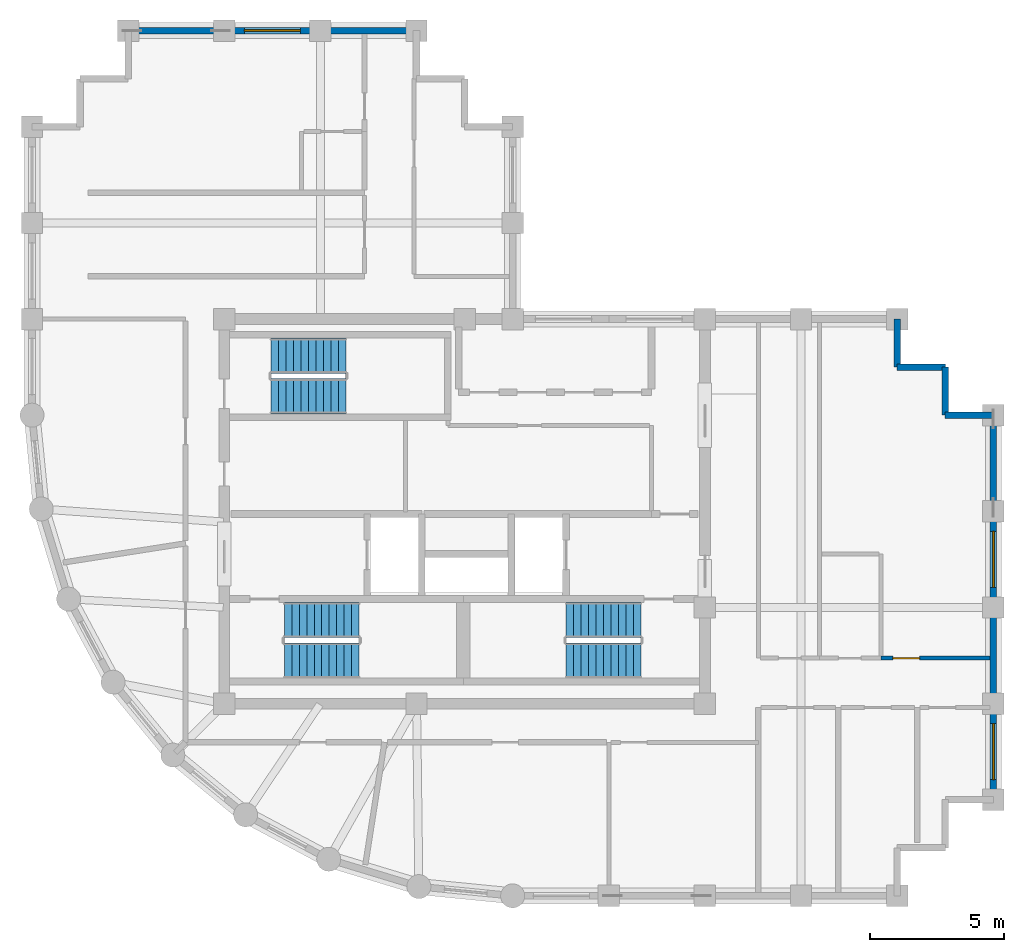
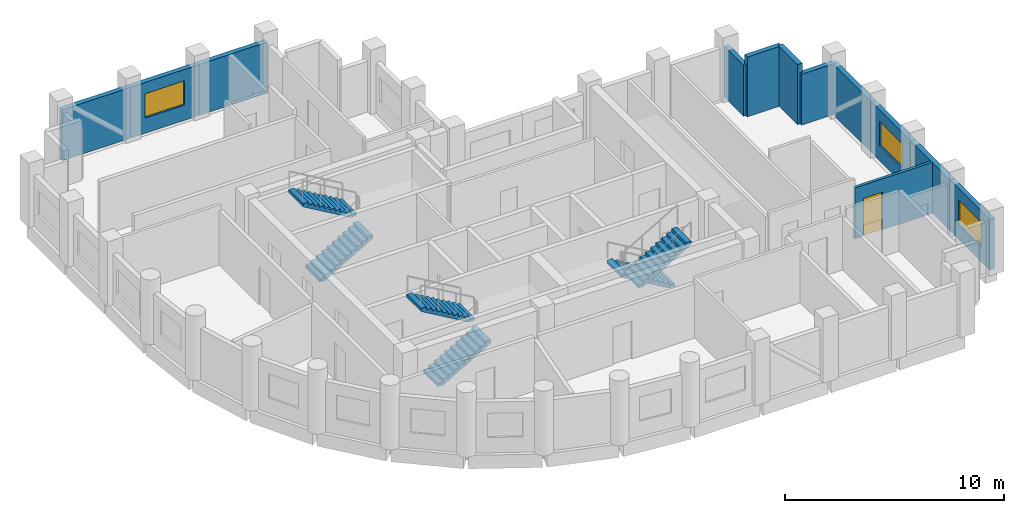
# One storey, part 5 of 6: 12 walls, 6 stair flights, 3 windows, 1 door, 4 openings, 3 elements without a shape of their own.
"""IFC4 building model written with IfcOpenShell, lengths in metres."""

from ifc_helpers import new_model, si_unit, direction, frame, frame_2d, origin, place, context, subcontext, project, spatial, polyline, rectangle, outline, extrude, material, layer, layer_set, type_object, element, fill, aggregate, save


model = new_model("IFC4")

# Units and contexts
model_context = context("Model", 3, precision=1e-05, world=origin(), true_north=direction((0.0, 1.0)))
body_context = subcontext(model_context, "Body", "Model", "MODEL_VIEW")
ifc_project = project(units=[si_unit("LENGTHUNIT", "METRE"), si_unit("AREAUNIT", "SQUARE_METRE"), si_unit("VOLUMEUNIT", "CUBIC_METRE"), si_unit("PLANEANGLEUNIT", "RADIAN"), si_unit("MASSUNIT", "GRAM", prefix="KILO")], contexts=[model_context])

# Site, building, storey
site_placement = place(None, origin())
site = spatial("IfcSite", under=ifc_project, at=site_placement, CompositionType="ELEMENT")
building_placement = place(site_placement, origin())
building = spatial("IfcBuilding", under=site, at=building_placement, Name="Solnavia Interchange Tower", CompositionType="ELEMENT")
storey_placement = place(building_placement, frame((0.0, 0.0, 231.800048828125)))
storey = spatial("IfcBuildingStorey", under=building, at=storey_placement, Name="L58", CompositionType="ELEMENT", Elevation=231.800048828125)

# Wall, opening, window
ifc_material_1 = material(Name="Concrete C40/50", Category="concrete")
ifc_layer_1 = layer(ifc_material_1, 0.25)
ifc_layer_set_1 = layer_set([ifc_layer_1], Name="Concrete C40/50")
wall_type_1 = type_object("IfcWallType", Name="Wall-ExtSpandrel-250", PredefinedType="STANDARD", material=ifc_layer_set_1)
wall_1_placement = place(storey_placement, frame((43.199951171875, 10.800048828125, 0.0), z_axis=(0.0, 0.0, 1.0), x_axis=(0.0, -1.0, 0.0)))
wall_1 = element("IfcWall", 1, at=wall_1_placement, inside=storey, type_object=wall_type_1, Name="EXW-L58-09 Exterior precast spandrel wall", PredefinedType="STANDARD", context=body_context, shape_type="SweptSolid", body=[
    extrude(rectangle(XDim=3.60009765625, YDim=0.25, at=frame_2d((1.800048828125, 0.0))), origin(), (0.0, 0.0, 1.0), 2.829833984375),
])
opening_1_placement = place(wall_1_placement, frame((0.75, 0.0, 0.85009765625)))
opening_1 = element("IfcOpeningElement", 2, at=opening_1_placement, cuts=wall_1, Name="Opening WIN-01", PredefinedType="OPENING", context=body_context, shape_type="SweptSolid", body=[
    extrude(rectangle(XDim=2.10009765625, YDim=1.35009765625, at=frame_2d((1.050048828125, 0.675048828125))), frame((0.0, 0.135009765625, 0.0), z_axis=(0.0, -1.0, 0.0), x_axis=(1.0, 0.0, 0.0)), (0.0, 0.0, 1.0), 0.27001953125),
])
ifc_material_2 = material(Name="Thermal-Break Aluminium & Low-E Glass", Category="aluminium")
window_type = type_object("IfcWindowType", Name="Window-Ribbon-2100x1350", PartitioningType="SINGLE_PANEL", PredefinedType="WINDOW", material=ifc_material_2)
window_1_placement = place(opening_1_placement, origin())
window_1 = element("IfcWindow", 3, at=window_1_placement, inside=storey, type_object=window_type, Name="WIN-L58-09 Facade ribbon window", OverallHeight=1.35009765625, OverallWidth=2.10009765625, PartitioningType="SINGLE_PANEL", PredefinedType="WINDOW", context=body_context, shape_type="SweptSolid", body=[
    extrude(rectangle(XDim=2.10009765625, YDim=1.35009765625, at=frame_2d((1.050048828125, 0.675048828125))), frame((0.0, 0.030029296875, 0.0), z_axis=(0.0, -1.0, 0.0), x_axis=(1.0, 0.0, 0.0)), (0.0, 0.0, 1.0), 0.06005859375),
])
fill(opening_1, window_1)

# Wall
wall_2_placement = place(storey_placement, frame((43.199951171875, 14.39990234375, 0.0), z_axis=(0.0, 0.0, 1.0), x_axis=(0.0, -1.0, 0.0)))
element("IfcWall", 4, at=wall_2_placement, inside=storey, type_object=wall_type_1, Name="EXW-L58-10 Exterior precast spandrel wall", PredefinedType="STANDARD", context=body_context, shape_type="SweptSolid", body=[
    extrude(rectangle(XDim=3.599853515625, YDim=0.25, at=frame_2d((1.7998046875, 0.0))), origin(), (0.0, 0.0, 1.0), 2.829833984375),
])

# Wall, opening, window
wall_3_placement = place(storey_placement, frame((43.199951171875, 18.0, 0.0), z_axis=(0.0, 0.0, 1.0), x_axis=(0.0, -1.0, 0.0)))
wall_3 = element("IfcWall", 5, at=wall_3_placement, inside=storey, type_object=wall_type_1, Name="EXW-L58-11 Exterior precast spandrel wall", PredefinedType="STANDARD", context=body_context, shape_type="SweptSolid", body=[
    extrude(rectangle(XDim=3.60009765625, YDim=0.25, at=frame_2d((1.800048828125, 0.0))), origin(), (0.0, 0.0, 1.0), 2.829833984375),
])
opening_2_placement = place(wall_3_placement, frame((0.75, 0.0, 0.85009765625)))
opening_2 = element("IfcOpeningElement", 6, at=opening_2_placement, cuts=wall_3, Name="Opening WIN-01", PredefinedType="OPENING", context=body_context, shape_type="SweptSolid", body=[
    extrude(rectangle(XDim=2.10009765625, YDim=1.35009765625, at=frame_2d((1.050048828125, 0.675048828125))), frame((0.0, 0.135009765625, 0.0), z_axis=(0.0, -1.0, 0.0), x_axis=(1.0, 0.0, 0.0)), (0.0, 0.0, 1.0), 0.27001953125),
])
window_2_placement = place(opening_2_placement, origin())
window_2 = element("IfcWindow", 7, at=window_2_placement, inside=storey, type_object=window_type, Name="WIN-L58-11 Facade ribbon window", OverallHeight=1.35009765625, OverallWidth=2.10009765625, PartitioningType="SINGLE_PANEL", PredefinedType="WINDOW", context=body_context, shape_type="SweptSolid", body=[
    extrude(rectangle(XDim=2.10009765625, YDim=1.35009765625, at=frame_2d((1.050048828125, 0.675048828125))), frame((0.0, 0.030029296875, 0.0), z_axis=(0.0, -1.0, 0.0), x_axis=(1.0, 0.0, 0.0)), (0.0, 0.0, 1.0), 0.06005859375),
])
fill(opening_2, window_2)

# Walls
wall_4_placement = place(storey_placement, frame((43.199951171875, 21.60009765625, 0.0), z_axis=(0.0, 0.0, 1.0), x_axis=(0.0, -1.0, 0.0)))
element("IfcWall", 8, at=wall_4_placement, inside=storey, type_object=wall_type_1, Name="EXW-L58-12 Exterior precast spandrel wall", PredefinedType="STANDARD", context=body_context, shape_type="SweptSolid", body=[
    extrude(rectangle(XDim=3.60009765625, YDim=0.25, at=frame_2d((1.800048828125, 0.0))), origin(), (0.0, 0.0, 1.0), 2.829833984375),
])
wall_5_placement = place(storey_placement, frame((41.39990234375, 21.60009765625, 0.0), z_axis=(0.0, 0.0, 1.0), x_axis=(1.0, 0.0, 0.0)))
element("IfcWall", 9, at=wall_5_placement, inside=storey, type_object=wall_type_1, Name="EXW-L58-13 Exterior precast spandrel wall", PredefinedType="STANDARD", context=body_context, shape_type="SweptSolid", body=[
    extrude(rectangle(XDim=1.800048828125, YDim=0.25, at=frame_2d((0.89990234375, 0.0))), origin(), (0.0, 0.0, 1.0), 2.829833984375),
])
for number, where, z_axis, x_axis, name in (
    (10, (41.39990234375, 23.39990234375, 0.0), (0.0, 0.0, 1.0), (0.0, -1.0, 0.0), "EXW-L58-14 Exterior precast spandrel wall"),
    (11, (39.60009765625, 23.39990234375, 0.0), (0.0, 0.0, 1.0), (1.0, 0.0, 0.0), "EXW-L58-15 Exterior precast spandrel wall"),
):
    element("IfcWall", number, at=place(storey_placement, frame(where, z_axis=z_axis, x_axis=x_axis)), inside=storey, type_object=wall_type_1, Name=name, PredefinedType="STANDARD", context=body_context, shape_type="SweptSolid", body=[
        extrude(rectangle(XDim=1.7998046875, YDim=0.25, at=frame_2d((0.89990234375, 0.0))), origin(), (0.0, 0.0, 1.0), 3.3349609375),
    ])
wall_6_placement = place(storey_placement, frame((39.60009765625, 25.199951171875, 0.0), z_axis=(0.0, 0.0, 1.0), x_axis=(0.0, -1.0, 0.0)))
element("IfcWall", 12, at=wall_6_placement, inside=storey, type_object=wall_type_1, Name="EXW-L58-16 Exterior precast spandrel wall", PredefinedType="STANDARD", context=body_context, shape_type="SweptSolid", body=[
    extrude(rectangle(XDim=1.800048828125, YDim=0.25, at=frame_2d((0.89990234375, 0.0))), origin(), (0.0, 0.0, 1.0), 2.829833984375),
])
wall_7_placement = place(storey_placement, frame((18.0, 36.0, 0.0), z_axis=(0.0, 0.0, 1.0), x_axis=(1.0, 0.0, 0.0)))
element("IfcWall", 13, at=wall_7_placement, inside=storey, type_object=wall_type_1, Name="EXW-L58-27 Exterior precast spandrel wall", PredefinedType="STANDARD", context=body_context, shape_type="SweptSolid", body=[
    extrude(rectangle(XDim=3.60009765625, YDim=0.25, at=frame_2d((1.800048828125, 0.0))), origin(), (0.0, 0.0, 1.0), 2.829833984375),
])

# Wall, opening, window
wall_8_placement = place(storey_placement, frame((14.39990234375, 36.0, 0.0), z_axis=(0.0, 0.0, 1.0), x_axis=(1.0, 0.0, 0.0)))
wall_8 = element("IfcWall", 14, at=wall_8_placement, inside=storey, type_object=wall_type_1, Name="EXW-L58-28 Exterior precast spandrel wall", PredefinedType="STANDARD", context=body_context, shape_type="SweptSolid", body=[
    extrude(rectangle(XDim=3.60009765625, YDim=0.25, at=frame_2d((1.800048828125, 0.0))), origin(), (0.0, 0.0, 1.0), 2.829833984375),
])
opening_3_placement = place(wall_8_placement, frame((0.75, 0.0, 0.85009765625)))
opening_3 = element("IfcOpeningElement", 15, at=opening_3_placement, cuts=wall_8, Name="Opening WIN-01", PredefinedType="OPENING", context=body_context, shape_type="SweptSolid", body=[
    extrude(rectangle(XDim=2.10009765625, YDim=1.35009765625, at=frame_2d((1.050048828125, 0.675048828125))), frame((0.0, 0.135009765625, 0.0), z_axis=(0.0, -1.0, 0.0), x_axis=(1.0, 0.0, 0.0)), (0.0, 0.0, 1.0), 0.27001953125),
])
window_3_placement = place(opening_3_placement, origin())
window_3 = element("IfcWindow", 16, at=window_3_placement, inside=storey, type_object=window_type, Name="WIN-L58-28 Facade ribbon window", OverallHeight=1.35009765625, OverallWidth=2.10009765625, PartitioningType="SINGLE_PANEL", PredefinedType="WINDOW", context=body_context, shape_type="SweptSolid", body=[
    extrude(rectangle(XDim=2.10009765625, YDim=1.35009765625, at=frame_2d((1.050048828125, 0.675048828125))), frame((0.0, 0.030029296875, 0.0), z_axis=(0.0, -1.0, 0.0), x_axis=(1.0, 0.0, 0.0)), (0.0, 0.0, 1.0), 0.06005859375),
])
fill(opening_3, window_3)

# Wall
wall_9_placement = place(storey_placement, frame((10.800048828125, 36.0, 0.0), z_axis=(0.0, 0.0, 1.0), x_axis=(1.0, 0.0, 0.0)))
element("IfcWall", 17, at=wall_9_placement, inside=storey, type_object=wall_type_1, Name="EXW-L58-29 Exterior precast spandrel wall", PredefinedType="STANDARD", context=body_context, shape_type="SweptSolid", body=[
    extrude(rectangle(XDim=3.599853515625, YDim=0.25, at=frame_2d((1.7998046875, 0.0))), origin(), (0.0, 0.0, 1.0), 2.829833984375),
])

# Wall, opening, door
ifc_material_3 = material(Name="Gypsum Plasterboard & Steel Stud", Category="steel")
ifc_layer_2 = layer(ifc_material_3, 0.14990234375)
ifc_layer_set_2 = layer_set([ifc_layer_2], Name="Gypsum Plasterboard & Steel Stud")
wall_type_2 = type_object("IfcWallType", Name="Wall-Partition-150", PredefinedType="PARTITIONING", material=ifc_layer_set_2)
wall_10_placement = place(storey_placement, frame((39.0, 12.5, 0.0), z_axis=(0.0, 0.0, 1.0), x_axis=(1.0, 0.0, 0.0)))
wall_10 = element("IfcWall", 18, at=wall_10_placement, inside=storey, type_object=wall_type_2, Name="PTW-L58-23 Interior partition wall", PredefinedType="PARTITIONING", context=body_context, shape_type="SweptSolid", body=[
    extrude(rectangle(XDim=4.071044921875, YDim=0.14990234375, at=frame_2d((2.03564453125, 0.0))), origin(), (0.0, 0.0, 1.0), 2.829833984375),
])
opening_4_placement = place(wall_10_placement, frame((0.43798828125, 0.0, 0.0)))
opening_4 = element("IfcOpeningElement", 19, at=opening_4_placement, cuts=wall_10, Name="Opening DR-07", PredefinedType="OPENING", context=body_context, shape_type="SweptSolid", body=[
    extrude(rectangle(XDim=1.0, YDim=2.10009765625, at=frame_2d((0.5, 1.050048828125))), frame((0.0, 0.0849609375, 0.0), z_axis=(0.0, -1.0, 0.0), x_axis=(1.0, 0.0, 0.0)), (0.0, 0.0, 1.0), 0.169921875),
])
ifc_material_4 = material(Name="Timber & Acoustic Glazed Office Door", Category="wood")
door_type = type_object("IfcDoorType", Name="Door-Office-1000x2100", OperationType="SINGLE_SWING_RIGHT", PredefinedType="DOOR", material=ifc_material_4)
door_placement = place(opening_4_placement, origin())
door = element("IfcDoor", 20, at=door_placement, inside=storey, type_object=door_type, Name="DR-L58-11 Interior room door", OperationType="SINGLE_SWING_RIGHT", OverallHeight=2.10009765625, OverallWidth=1.0, PredefinedType="DOOR", context=body_context, shape_type="SweptSolid", body=[
    extrude(rectangle(XDim=1.0, YDim=2.10009765625, at=frame_2d((0.5, 1.050048828125))), frame((0.0, 0.02490234375, 0.0), z_axis=(0.0, -1.0, 0.0), x_axis=(1.0, 0.0, 0.0)), (0.0, 0.0, 1.0), 0.050048828125),
])
fill(opening_4, door)

# Stair, stair flights
stair_type = type_object("IfcStairType", Name="Stair-Dogleg-RC", PredefinedType="HALF_TURN_STAIR", material=ifc_material_1)
stair_1_placement = place(storey_placement, origin())
stair_1 = element("IfcStair", 21, at=stair_1_placement, inside=storey, type_object=stair_type, Name="L58 Core exit stair 1", PredefinedType="HALF_TURN_STAIR")
stair_flight_type = type_object("IfcStairFlightType", Name="StairFlight-RC-150", PredefinedType="STRAIGHT", material=ifc_material_1)
stair_flight_1_placement = place(storey_placement, frame((16.64990234375, 12.409912109375, 0.0), z_axis=(0.0, 0.0, 1.0), x_axis=(1.0, 0.0, 0.0)))
stair_flight_1 = element("IfcStairFlight", 22, at=stair_flight_1_placement, type_object=stair_flight_type, Name="ST-1 flight 1", NumberOfRisers=11, NumberOfTreads=10, PredefinedType="STRAIGHT", RiserHeight=0.163636364, TreadLength=0.28, context=body_context, shape_type="SweptSolid", body=[
    extrude(outline(polyline([(0.0, 0.0), (0.0, 0.16357421875), (0.280029296875, 0.16357421875), (0.280029296875, 0.327392578125), (0.56005859375, 0.327392578125), (0.56005859375, 0.490966796875), (0.840087890625, 0.490966796875), (0.840087890625, 0.654541015625), (1.1201171875, 0.654541015625), (1.1201171875, 0.818115234375), (1.39990234375, 0.818115234375), (1.39990234375, 0.98193359375), (1.679931640625, 0.98193359375), (1.679931640625, 1.1455078125), (1.9599609375, 1.1455078125), (1.9599609375, 1.30908203125), (2.239990234375, 1.30908203125), (2.239990234375, 1.47265625), (2.52001953125, 1.47265625), (2.52001953125, 1.636474609375), (2.800048828125, 1.636474609375), (2.800048828125, 1.800048828125), (2.800048828125, 1.462646484375), (0.297119140625, 0.0), (0.0, 0.0)])), frame((0.0, 0.66015625, 0.0), z_axis=(0.0, -1.0, 0.0), x_axis=(1.0, 0.0, 0.0)), (0.0, 0.0, 1.0), 1.320068359375),
])
stair_flight_2_placement = place(storey_placement, frame((19.449951171875, 13.929931640625, 1.800048828125), z_axis=(0.0, 0.0, 1.0), x_axis=(-1.0, 0.0, 0.0)))
stair_flight_2 = element("IfcStairFlight", 23, at=stair_flight_2_placement, type_object=stair_flight_type, Name="ST-1 flight 2", NumberOfRisers=11, NumberOfTreads=10, PredefinedType="STRAIGHT", RiserHeight=0.163636364, TreadLength=0.28, context=body_context, shape_type="SweptSolid", body=[
    extrude(outline(polyline([(0.0, 0.0), (0.0, 0.16357421875), (0.280029296875, 0.16357421875), (0.280029296875, 0.327392578125), (0.56005859375, 0.327392578125), (0.56005859375, 0.490966796875), (0.840087890625, 0.490966796875), (0.840087890625, 0.654541015625), (1.1201171875, 0.654541015625), (1.1201171875, 0.818115234375), (1.39990234375, 0.818115234375), (1.39990234375, 0.98193359375), (1.679931640625, 0.98193359375), (1.679931640625, 1.1455078125), (1.9599609375, 1.1455078125), (1.9599609375, 1.30908203125), (2.239990234375, 1.30908203125), (2.239990234375, 1.47265625), (2.52001953125, 1.47265625), (2.52001953125, 1.636474609375), (2.800048828125, 1.636474609375), (2.800048828125, 1.800048828125), (2.800048828125, 1.462646484375), (0.297119140625, 0.0), (0.0, 0.0)])), frame((0.0, 0.66015625, 0.0), z_axis=(0.0, -1.0, 0.0), x_axis=(1.0, 0.0, 0.0)), (0.0, 0.0, 1.0), 1.320068359375),
])
aggregate(stair_1, [stair_flight_1, stair_flight_2])

stair_2_placement = place(storey_placement, origin())
stair_2 = element("IfcStair", 24, at=stair_2_placement, inside=storey, type_object=stair_type, Name="L58 Core exit stair 2", PredefinedType="HALF_TURN_STAIR")
stair_flight_3_placement = place(storey_placement, frame((30.0, 13.929931640625, 0.0), z_axis=(0.0, 0.0, 1.0), x_axis=(-1.0, 0.0, 0.0)))
stair_flight_3 = element("IfcStairFlight", 25, at=stair_flight_3_placement, type_object=stair_flight_type, Name="ST-2 flight 1", NumberOfRisers=11, NumberOfTreads=10, PredefinedType="STRAIGHT", RiserHeight=0.163636364, TreadLength=0.28, context=body_context, shape_type="SweptSolid", body=[
    extrude(outline(polyline([(0.0, 0.0), (0.0, 0.16357421875), (0.280029296875, 0.16357421875), (0.280029296875, 0.327392578125), (0.56005859375, 0.327392578125), (0.56005859375, 0.490966796875), (0.840087890625, 0.490966796875), (0.840087890625, 0.654541015625), (1.1201171875, 0.654541015625), (1.1201171875, 0.818115234375), (1.39990234375, 0.818115234375), (1.39990234375, 0.98193359375), (1.679931640625, 0.98193359375), (1.679931640625, 1.1455078125), (1.9599609375, 1.1455078125), (1.9599609375, 1.30908203125), (2.239990234375, 1.30908203125), (2.239990234375, 1.47265625), (2.52001953125, 1.47265625), (2.52001953125, 1.636474609375), (2.800048828125, 1.636474609375), (2.800048828125, 1.800048828125), (2.800048828125, 1.462646484375), (0.297119140625, 0.0), (0.0, 0.0)])), frame((0.0, 0.66015625, 0.0), z_axis=(0.0, -1.0, 0.0), x_axis=(1.0, 0.0, 0.0)), (0.0, 0.0, 1.0), 1.320068359375),
])
stair_flight_4_placement = place(storey_placement, frame((27.199951171875, 12.409912109375, 1.800048828125), z_axis=(0.0, 0.0, 1.0), x_axis=(1.0, 0.0, 0.0)))
stair_flight_4 = element("IfcStairFlight", 26, at=stair_flight_4_placement, type_object=stair_flight_type, Name="ST-2 flight 2", NumberOfRisers=11, NumberOfTreads=10, PredefinedType="STRAIGHT", RiserHeight=0.163636364, TreadLength=0.28, context=body_context, shape_type="SweptSolid", body=[
    extrude(outline(polyline([(0.0, 0.0), (0.0, 0.16357421875), (0.280029296875, 0.16357421875), (0.280029296875, 0.327392578125), (0.56005859375, 0.327392578125), (0.56005859375, 0.490966796875), (0.840087890625, 0.490966796875), (0.840087890625, 0.654541015625), (1.1201171875, 0.654541015625), (1.1201171875, 0.818115234375), (1.39990234375, 0.818115234375), (1.39990234375, 0.98193359375), (1.679931640625, 0.98193359375), (1.679931640625, 1.1455078125), (1.9599609375, 1.1455078125), (1.9599609375, 1.30908203125), (2.239990234375, 1.30908203125), (2.239990234375, 1.47265625), (2.52001953125, 1.47265625), (2.52001953125, 1.636474609375), (2.800048828125, 1.636474609375), (2.800048828125, 1.800048828125), (2.800048828125, 1.462646484375), (0.297119140625, 0.0), (0.0, 0.0)])), frame((0.0, 0.66015625, 0.0), z_axis=(0.0, -1.0, 0.0), x_axis=(1.0, 0.0, 0.0)), (0.0, 0.0, 1.0), 1.320068359375),
])
aggregate(stair_2, [stair_flight_3, stair_flight_4])

stair_3_placement = place(storey_placement, origin())
stair_3 = element("IfcStair", 27, at=stair_3_placement, inside=storey, type_object=stair_type, Name="L58 Core exit stair 3", PredefinedType="HALF_TURN_STAIR")
stair_flight_5_placement = place(storey_placement, frame((16.14990234375, 22.31005859375, 0.0), z_axis=(0.0, 0.0, 1.0), x_axis=(1.0, 0.0, 0.0)))
stair_flight_5 = element("IfcStairFlight", 28, at=stair_flight_5_placement, type_object=stair_flight_type, Name="ST-3 flight 1", NumberOfRisers=11, NumberOfTreads=10, PredefinedType="STRAIGHT", RiserHeight=0.163636364, TreadLength=0.28, context=body_context, shape_type="SweptSolid", body=[
    extrude(outline(polyline([(0.0, 0.0), (0.0, 0.16357421875), (0.280029296875, 0.16357421875), (0.280029296875, 0.327392578125), (0.56005859375, 0.327392578125), (0.56005859375, 0.490966796875), (0.840087890625, 0.490966796875), (0.840087890625, 0.654541015625), (1.1201171875, 0.654541015625), (1.1201171875, 0.818115234375), (1.39990234375, 0.818115234375), (1.39990234375, 0.98193359375), (1.679931640625, 0.98193359375), (1.679931640625, 1.1455078125), (1.9599609375, 1.1455078125), (1.9599609375, 1.30908203125), (2.239990234375, 1.30908203125), (2.239990234375, 1.47265625), (2.52001953125, 1.47265625), (2.52001953125, 1.636474609375), (2.800048828125, 1.636474609375), (2.800048828125, 1.800048828125), (2.800048828125, 1.462646484375), (0.297119140625, 0.0), (0.0, 0.0)])), frame((0.0, 0.66015625, 0.0), z_axis=(0.0, -1.0, 0.0), x_axis=(1.0, 0.0, 0.0)), (0.0, 0.0, 1.0), 1.320068359375),
])
stair_flight_6_placement = place(storey_placement, frame((18.949951171875, 23.830078125, 1.800048828125), z_axis=(0.0, 0.0, 1.0), x_axis=(-1.0, 0.0, 0.0)))
stair_flight_6 = element("IfcStairFlight", 29, at=stair_flight_6_placement, type_object=stair_flight_type, Name="ST-3 flight 2", NumberOfRisers=11, NumberOfTreads=10, PredefinedType="STRAIGHT", RiserHeight=0.163636364, TreadLength=0.28, context=body_context, shape_type="SweptSolid", body=[
    extrude(outline(polyline([(0.0, 0.0), (0.0, 0.16357421875), (0.280029296875, 0.16357421875), (0.280029296875, 0.327392578125), (0.56005859375, 0.327392578125), (0.56005859375, 0.490966796875), (0.840087890625, 0.490966796875), (0.840087890625, 0.654541015625), (1.1201171875, 0.654541015625), (1.1201171875, 0.818115234375), (1.39990234375, 0.818115234375), (1.39990234375, 0.98193359375), (1.679931640625, 0.98193359375), (1.679931640625, 1.1455078125), (1.9599609375, 1.1455078125), (1.9599609375, 1.30908203125), (2.239990234375, 1.30908203125), (2.239990234375, 1.47265625), (2.52001953125, 1.47265625), (2.52001953125, 1.636474609375), (2.800048828125, 1.636474609375), (2.800048828125, 1.800048828125), (2.800048828125, 1.462646484375), (0.297119140625, 0.0), (0.0, 0.0)])), frame((0.0, 0.66015625, 0.0), z_axis=(0.0, -1.0, 0.0), x_axis=(1.0, 0.0, 0.0)), (0.0, 0.0, 1.0), 1.320068359375),
])
aggregate(stair_3, [stair_flight_5, stair_flight_6])

save(model, "model.ifc")
